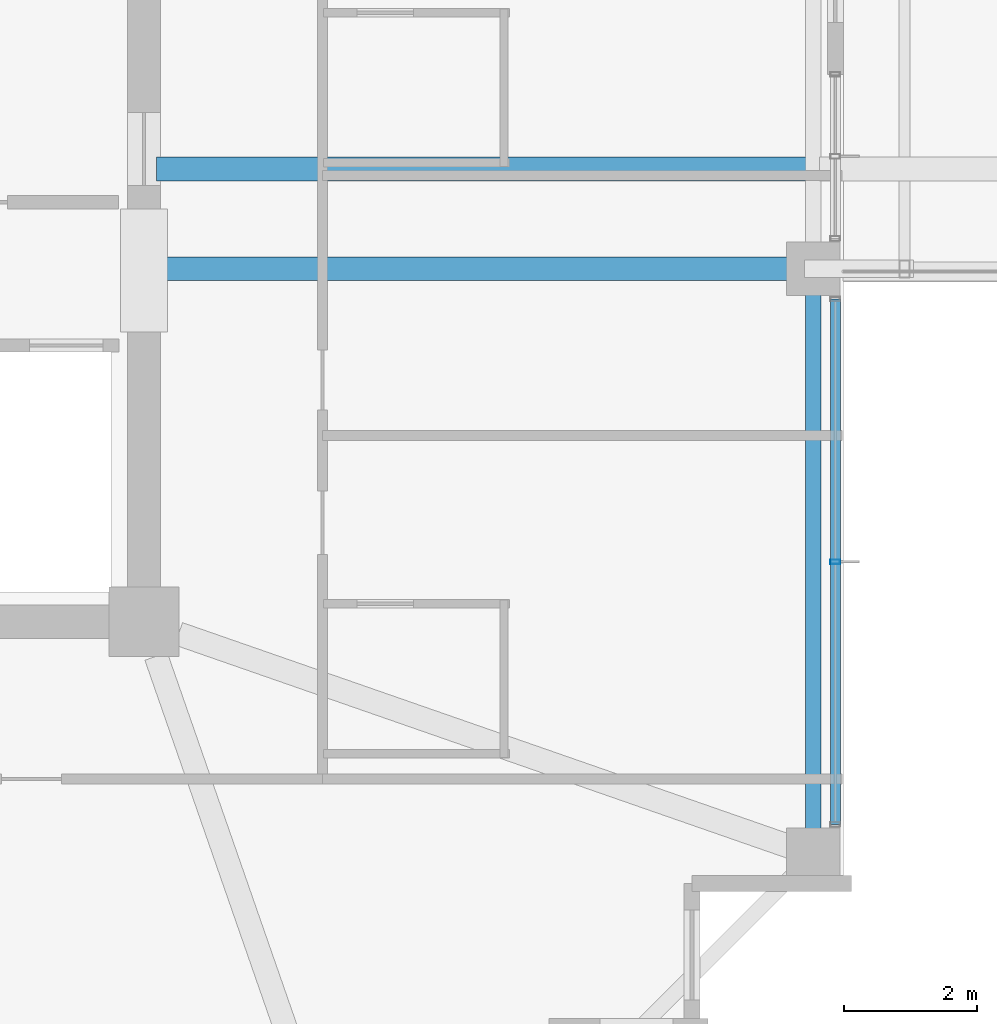
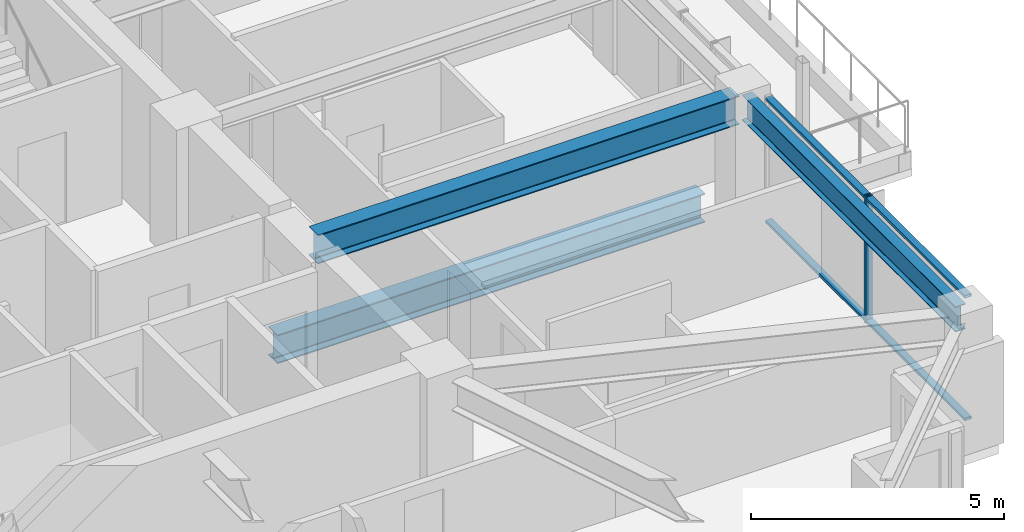
# One storey, part 13 of 38: 3 beams, 3 members, 1 element without a shape of its own.
"""IFC4 building model written with IfcOpenShell, lengths in metres."""

from ifc_helpers import new_model, si_unit, direction, frame, origin, origin_2d, place, context, subcontext, project, spatial, hollow_rectangle, i_section, extrude, material, material_profile, profile_set, type_object, element, aggregate, save


model = new_model("IFC4")

# Units and contexts
model_context = context("Model", 3, precision=1e-05, world=origin(), true_north=direction((0.0, 1.0)))
body_context = subcontext(model_context, "Body", "Model", "MODEL_VIEW")
ifc_project = project(units=[si_unit("LENGTHUNIT", "METRE"), si_unit("AREAUNIT", "SQUARE_METRE"), si_unit("VOLUMEUNIT", "CUBIC_METRE"), si_unit("PLANEANGLEUNIT", "RADIAN"), si_unit("MASSUNIT", "GRAM", prefix="KILO")], contexts=[model_context])

# Site, building, storey
site_placement = place(None, origin())
site = spatial("IfcSite", under=ifc_project, at=site_placement, CompositionType="ELEMENT")
building_placement = place(site_placement, origin())
building = spatial("IfcBuilding", under=site, at=building_placement, Name="Kolvaren Belvedere", CompositionType="ELEMENT")
storey_placement = place(building_placement, frame((0.0, 0.0, 206.39990234375)))
storey = spatial("IfcBuildingStorey", under=building, at=storey_placement, Name="L60", CompositionType="ELEMENT", Elevation=206.39990234375)

# Beams
ifc_material_1 = material(Name="Structural steel ASTM A992 Grade 50", Category="steel")
ifc_material_profile_1 = material_profile(ifc_material_1, i_section(OverallWidth=0.35498046875, OverallDepth=0.696044921875, WebThickness=0.015380859375, FlangeThickness=0.02490234375, FilletRadius=0.02197265625, at=origin_2d()), Name="W27X146")
ifc_profile_set_1 = profile_set([ifc_material_profile_1], Name="Structural steel ASTM A992 Grade 50")
beam_type_1 = type_object("IfcBeamType", Name="BM-GIRD-W27X146", PredefinedType="BEAM", material=ifc_profile_set_1)
beam_1_placement = place(storey_placement, frame((10.090087890625, -3.10009765625, -0.56787109375), z_axis=(1.0, 0.0, 0.0), x_axis=(0.0, 1.0, 0.0)))
element("IfcBeam", 1, at=beam_1_placement, inside=storey, type_object=beam_type_1, Name="L60 Balcony Interior Back-Span Girder SPIRAL-09-E-1", PredefinedType="BEAM", context=body_context, shape_type="SweptSolid", body=[
    extrude(i_section(OverallWidth=0.35498046875, OverallDepth=0.696044921875, WebThickness=0.015380859375, FlangeThickness=0.02490234375, FilletRadius=0.02197265625, at=origin_2d()), origin(), (0.0, 0.0, 1.0), 9.764892578125),
])
beam_2_placement = place(storey_placement, frame((10.14990234375, -4.60009765625, 2.732177734375), z_axis=(1.0, 0.0, 0.0), x_axis=(0.0, 1.0, 0.0)))
element("IfcBeam", 2, at=beam_2_placement, inside=storey, type_object=beam_type_1, Name="L60 East Radial Girder M", PredefinedType="BEAM", context=body_context, shape_type="SweptSolid", body=[
    extrude(i_section(OverallWidth=0.35498046875, OverallDepth=0.696044921875, WebThickness=0.015380859375, FlangeThickness=0.02490234375, FilletRadius=0.02197265625, at=origin_2d()), origin(), (0.0, 0.0, 1.0), 9.6201171875),
])
ifc_material_2 = material(Name="Structural steel ASTM A992 Grade 50", Category="steel")
ifc_material_profile_2 = material_profile(ifc_material_2, i_section(OverallWidth=0.22900390625, OverallDepth=0.612060546875, WebThickness=0.011962890625, FlangeThickness=0.01953125, FilletRadius=0.01806640625, at=origin_2d()), Name="W24X84")
ifc_profile_set_2 = profile_set([ifc_material_profile_2], Name="Structural steel ASTM A992 Grade 50")
beam_type_2 = type_object("IfcBeamType", Name="BM-SPAN-W24X84", PredefinedType="SPANDREL", material=ifc_profile_set_2)
beam_3_placement = place(storey_placement, frame((19.949951171875, -13.219970703125, 2.774169921875), z_axis=(0.0, 1.0, 0.0), x_axis=(-1.0, 0.0, 0.0)))
element("IfcBeam", 3, at=beam_3_placement, inside=storey, type_object=beam_type_2, Name="L60 Perimeter Spandrel E1-E2", PredefinedType="SPANDREL", context=body_context, shape_type="SweptSolid", body=[
    extrude(i_section(OverallWidth=0.22900390625, OverallDepth=0.612060546875, WebThickness=0.011962890625, FlangeThickness=0.01953125, FilletRadius=0.01806640625, at=origin_2d()), origin(), (0.0, 0.0, 1.0), 8.43994140625),
])

# Curtain wall, members
ifc_material_3 = material(Name="Anodised pale-metal aluminium AA 6063-T6", Category="aluminium")
curtain_wall_type = type_object("IfcCurtainWallType", Name="CW-Z5-HIGH", PredefinedType="NOTDEFINED", material=ifc_material_3)
curtain_wall_placement = place(storey_placement, origin())
curtain_wall = element("IfcCurtainWall", 4, at=curtain_wall_placement, inside=storey, type_object=curtain_wall_type, Name="L60 Unitised Curtain Wall FCW-L60-E2-B2", PredefinedType="NOTDEFINED")
ifc_material_4 = material(Name="Anodised pale-metal aluminium AA 6063-T6", Category="aluminium")
ifc_material_profile_3 = material_profile(ifc_material_4, hollow_rectangle(XDim=0.070068359375, YDim=0.14990234375, WallThickness=0.004150390625, at=origin_2d()), Name="ALU-MUL-150X70")
ifc_profile_set_3 = profile_set([ifc_material_profile_3], Name="Anodised pale-metal aluminium AA 6063-T6")
member_type_1 = type_object("IfcMemberType", Name="CW-MUL-150", PredefinedType="MULLION", material=ifc_profile_set_3)
member_1_placement = place(storey_placement, frame((20.280029296875, -9.0, 0.0), z_axis=(0.0, 0.0, 1.0), x_axis=(0.0, 1.0, 0.0)))
member_1 = element("IfcMember", 5, at=member_1_placement, type_object=member_type_1, Name="FCW-L60-E2-B2 Unitised Mullion 2", PredefinedType="MULLION", context=body_context, shape_type="SweptSolid", body=[
    extrude(hollow_rectangle(XDim=0.070068359375, YDim=0.14990234375, WallThickness=0.004150390625, at=origin_2d()), origin(), (0.0, 0.0, 1.0), 3.080078125),
])
ifc_material_5 = material(Name="Anodised pale-metal aluminium AA 6063-T6", Category="aluminium")
ifc_material_profile_4 = material_profile(ifc_material_5, hollow_rectangle(XDim=0.06494140625, YDim=0.14990234375, WallThickness=0.00390625, at=origin_2d()), Name="ALU-TRN-150X65")
ifc_profile_set_4 = profile_set([ifc_material_profile_4], Name="Anodised pale-metal aluminium AA 6063-T6")
member_type_2 = type_object("IfcMemberType", Name="CW-TRN-150", PredefinedType="USERDEFINED", material=ifc_profile_set_4)
member_2_placement = place(storey_placement, frame((20.280029296875, -5.054931640625, 0.06005859375), z_axis=(0.0, -1.0, 0.0), x_axis=(0.0, 0.0, 1.0)))
member_2 = element("IfcMember", 6, at=member_2_placement, type_object=member_type_2, Name="FCW-L60-E2-B2 Sill Transom", ObjectType="TRANSOM", PredefinedType="USERDEFINED", context=body_context, shape_type="SweptSolid", body=[
    extrude(hollow_rectangle(XDim=0.06494140625, YDim=0.14990234375, WallThickness=0.00390625, at=origin_2d()), origin(), (0.0, 0.0, 1.0), 7.89013671875),
])
member_3_placement = place(storey_placement, frame((20.280029296875, -5.054931640625, 3.02001953125), z_axis=(0.0, -1.0, 0.0), x_axis=(0.0, 0.0, 1.0)))
member_3 = element("IfcMember", 7, at=member_3_placement, type_object=member_type_2, Name="FCW-L60-E2-B2 Head Transom", ObjectType="TRANSOM", PredefinedType="USERDEFINED", context=body_context, shape_type="SweptSolid", body=[
    extrude(hollow_rectangle(XDim=0.06494140625, YDim=0.14990234375, WallThickness=0.00390625, at=origin_2d()), origin(), (0.0, 0.0, 1.0), 7.89013671875),
])
aggregate(curtain_wall, [member_1, member_2, member_3])

save(model, "model.ifc")
